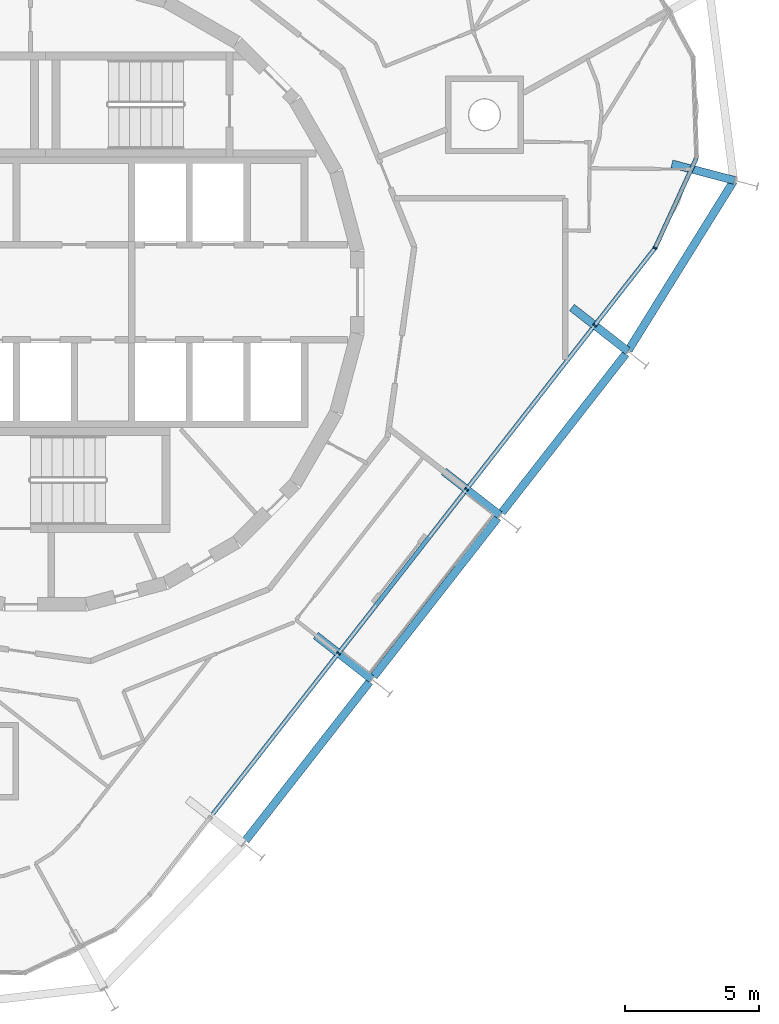
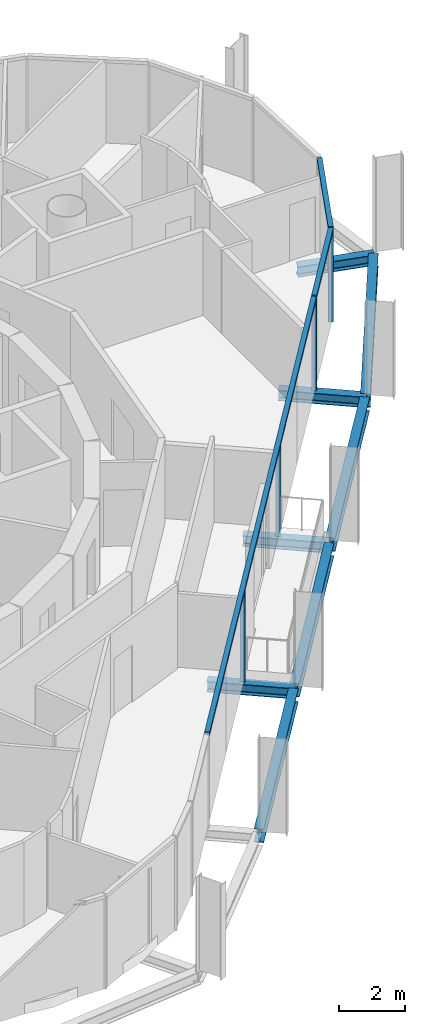
# One storey, part 4 of 15: 8 beams, 7 members, 2 elements without a shape of their own.
"""IFC4 building model written with IfcOpenShell, lengths in metres."""

from ifc_helpers import new_model, si_unit, direction, frame, origin, origin_2d, place, context, subcontext, project, spatial, rectangle, i_section, extrude, material, layer, layer_set, material_profile, profile_set, type_object, element, aggregate, save


model = new_model("IFC4")

# Units and contexts
model_context = context("Model", 3, precision=1e-05, world=origin(), true_north=direction((0.0, 1.0)))
body_context = subcontext(model_context, "Body", "Model", "MODEL_VIEW")
ifc_project = project(units=[si_unit("LENGTHUNIT", "METRE"), si_unit("AREAUNIT", "SQUARE_METRE"), si_unit("VOLUMEUNIT", "CUBIC_METRE"), si_unit("PLANEANGLEUNIT", "RADIAN"), si_unit("MASSUNIT", "GRAM", prefix="KILO")], contexts=[model_context])

# Site, building, storey
site_placement = place(None, origin())
site = spatial("IfcSite", under=ifc_project, at=site_placement, CompositionType="ELEMENT")
building_placement = place(site_placement, origin())
building = spatial("IfcBuilding", under=site, at=building_placement, Name="Spindle Arch Residences", CompositionType="ELEMENT")
storey_placement = place(building_placement, frame((0.0, 0.0, 350.5)))
storey = spatial("IfcBuildingStorey", under=building, at=storey_placement, Name="L90", CompositionType="ELEMENT", Elevation=350.5)

# Curtain wall, members
ifc_material_1 = material(Name="Aluminium bronze unitised frame with tinted glass", Category="aluminium")
ifc_layer_1 = layer(ifc_material_1, 0.159912109375)
ifc_layer_set_1 = layer_set([ifc_layer_1], Name="CW-D corner wall on the fillet arcs")
curtain_wall_type_1 = type_object("IfcCurtainWallType", Name="CW-D corner wall on the fillet arcs", PredefinedType="NOTDEFINED", material=ifc_layer_set_1)
curtain_wall_1_placement = place(storey_placement, origin())
curtain_wall_1 = element("IfcCurtainWall", 1, at=curtain_wall_1_placement, inside=storey, type_object=curtain_wall_type_1, Name="CW-D L90 run 1", PredefinedType="NOTDEFINED")
ifc_material_2 = material(Name="Aluminium bronze anodised mullion", Category="aluminium")
ifc_material_profile_1 = material_profile(ifc_material_2, rectangle(XDim=0.159912109375, YDim=0.06005859375, at=origin_2d()), Name="MU 60x160")
ifc_profile_set_1 = profile_set([ifc_material_profile_1], Name="Aluminium bronze anodised mullion")
member_type_1 = type_object("IfcMemberType", Name="Bronze mullion 60x160", PredefinedType="MULLION", material=ifc_profile_set_1)
member_1_placement = place(storey_placement, frame((20.50341796875, -1.237060546875, -0.3798828125), z_axis=(0.0, 0.0, 1.0), x_axis=(-0.788010753607, 0.615661475326, 0.0)))
member_1 = element("IfcMember", 2, at=member_1_placement, type_object=member_type_1, Name="CW-D mullion 00", PredefinedType="MULLION", context=body_context, shape_type="SweptSolid", body=[
    extrude(rectangle(XDim=0.159912109375, YDim=0.06005859375, at=origin_2d()), origin(), (0.0, 0.0, 1.0), 3.3798828125),
])
member_2_placement = place(storey_placement, frame((22.7568359375, 1.647216796875, -0.3798828125), z_axis=(0.0, 0.0, 1.0), x_axis=(-0.908751129947, 0.417338452362, 0.0)))
member_2 = element("IfcMember", 3, at=member_2_placement, type_object=member_type_1, Name="CW-D mullion 01", PredefinedType="MULLION", context=body_context, shape_type="SweptSolid", body=[
    extrude(rectangle(XDim=0.159912109375, YDim=0.06005859375, at=origin_2d()), origin(), (0.0, 0.0, 1.0), 3.3798828125),
])

ifc_material_3 = material(Name="Aluminium bronze unitised frame with tinted glass", Category="aluminium")
ifc_layer_2 = layer(ifc_material_3, 0.159912109375)
ifc_layer_set_2 = layer_set([ifc_layer_2], Name="CW-C typical residential unitised wall")
curtain_wall_type_2 = type_object("IfcCurtainWallType", Name="CW-C typical residential unitised wall", PredefinedType="NOTDEFINED", material=ifc_layer_set_2)
curtain_wall_2_placement = place(storey_placement, origin())
curtain_wall_2 = element("IfcCurtainWall", 4, at=curtain_wall_2_placement, inside=storey, type_object=curtain_wall_type_2, Name="CW-C L90 run 6", PredefinedType="NOTDEFINED")
member_3_placement = place(storey_placement, frame((10.94140625, -13.4755859375, -0.3798828125), z_axis=(0.0, 0.0, 1.0), x_axis=(-0.788010753607, 0.615661475326, 0.0)))
member_3 = element("IfcMember", 5, at=member_3_placement, type_object=member_type_1, Name="CW-C mullion 19", PredefinedType="MULLION", context=body_context, shape_type="SweptSolid", body=[
    extrude(rectangle(XDim=0.159912109375, YDim=0.06005859375, at=origin_2d()), origin(), (0.0, 0.0, 1.0), 3.3798828125),
])
member_4_placement = place(storey_placement, frame((15.722412109375, -7.3564453125, -0.3798828125), z_axis=(0.0, 0.0, 1.0), x_axis=(-0.788010753607, 0.615661475326, 0.0)))
member_4 = element("IfcMember", 6, at=member_4_placement, type_object=member_type_1, Name="CW-C mullion 00", PredefinedType="MULLION", context=body_context, shape_type="SweptSolid", body=[
    extrude(rectangle(XDim=0.159912109375, YDim=0.06005859375, at=origin_2d()), origin(), (0.0, 0.0, 1.0), 3.3798828125),
])

# Member
ifc_material_4 = material(Name="Aluminium bronze anodised transom", Category="aluminium")
ifc_material_profile_2 = material_profile(ifc_material_4, rectangle(XDim=0.159912109375, YDim=0.1201171875, at=origin_2d()), Name="TR 120x160")
ifc_profile_set_2 = profile_set([ifc_material_profile_2], Name="Aluminium bronze anodised transom")
member_type_2 = type_object("IfcMemberType", Name="Bronze transom 120x160", PredefinedType="USERDEFINED", material=ifc_profile_set_2)
member_5_placement = place(storey_placement, frame((20.521728515625, -1.21337890625, 3.06005859375), z_axis=(0.615647989673, 0.788021289568, 0.0), x_axis=(-0.788021289568, 0.615647989673, 0.0)))
member_5 = element("IfcMember", 7, at=member_5_placement, type_object=member_type_2, Name="CW-D transom 00", ObjectType="TRANSOM", PredefinedType="USERDEFINED", context=body_context, shape_type="SweptSolid", body=[
    extrude(rectangle(XDim=0.159912109375, YDim=0.1201171875, at=origin_2d()), origin(), (0.0, 0.0, 1.0), 3.600341796875),
])

member_6_placement = place(storey_placement, frame((22.769287109375, 1.674560546875, 3.06005859375), z_axis=(0.417326323855, 0.908756699792, 0.0), x_axis=(-0.908756699792, 0.417326323855, 0.0)))
member_6 = element("IfcMember", 8, at=member_6_placement, type_object=member_type_2, Name="CW-D transom 01", ObjectType="TRANSOM", PredefinedType="USERDEFINED", context=body_context, shape_type="SweptSolid", body=[
    extrude(rectangle(XDim=0.159912109375, YDim=0.1201171875, at=origin_2d()), origin(), (0.0, 0.0, 1.0), 3.666748046875),
])

aggregate(curtain_wall_1, [member_1, member_5, member_2, member_6])

member_7_placement = place(storey_placement, frame((6.178955078125, -19.571533203125, 3.06005859375), z_axis=(0.615655051857, 0.788015772128, 0.0), x_axis=(-0.788015772128, 0.615655051857, 0.0)))
member_7 = element("IfcMember", 9, at=member_7_placement, type_object=member_type_2, Name="CW-C transom 00", ObjectType="TRANSOM", PredefinedType="USERDEFINED", context=body_context, shape_type="SweptSolid", body=[
    extrude(rectangle(XDim=0.159912109375, YDim=0.1201171875, at=origin_2d()), origin(), (0.0, 0.0, 1.0), 23.23681640625),
])

aggregate(curtain_wall_2, [member_7, member_3, member_4])

# Beams
ifc_material_5 = material(Name="Steel S460ML, intumescent coating R 120", Category="steel")
ifc_material_profile_3 = material_profile(ifc_material_5, i_section(OverallWidth=0.300048828125, OverallDepth=0.5, WebThickness=0.014404296875, FlangeThickness=0.028076171875, FilletRadius=0.027099609375, at=origin_2d()), Name="HEB 500")
ifc_profile_set_3 = profile_set([ifc_material_profile_3], Name="Steel S460ML, intumescent coating R 120")
beam_type_1 = type_object("IfcBeamType", Name="Exoskeleton edge beam HEB 500", PredefinedType="BEAM", material=ifc_profile_set_3)
beam_1_placement = place(storey_placement, frame((17.03955078125, -8.220458984375, -0.6298828125), z_axis=(0.615652879069, 0.788017469663, 0.0), x_axis=(-0.788017469663, 0.615652879069, 0.0)))
element("IfcBeam", 10, at=beam_1_placement, inside=storey, type_object=beam_type_1, Name="Exoskeleton edge beam 1", PredefinedType="BEAM", context=body_context, shape_type="SweptSolid", body=[
    extrude(i_section(OverallWidth=0.300048828125, OverallDepth=0.5, WebThickness=0.014404296875, FlangeThickness=0.028076171875, FilletRadius=0.027099609375, at=origin_2d()), origin(), (0.0, 0.0, 1.0), 7.505615234375),
])
beam_2_placement = place(storey_placement, frame((21.760498046875, -2.17041015625, -0.6298828125), z_axis=(0.527890607505, 0.849312372751, 0.0), x_axis=(-0.849312372751, 0.527890607505, 0.0)))
element("IfcBeam", 11, at=beam_2_placement, inside=storey, type_object=beam_type_1, Name="Exoskeleton edge beam 2", PredefinedType="BEAM", context=body_context, shape_type="SweptSolid", body=[
    extrude(i_section(OverallWidth=0.300048828125, OverallDepth=0.5, WebThickness=0.014404296875, FlangeThickness=0.028076171875, FilletRadius=0.027099609375, at=origin_2d()), origin(), (0.0, 0.0, 1.0), 7.437744140625),
])
for number, where, z_axis, x_axis, name in (
    (12, (7.4775390625, -20.459228515625, -0.6298828125), (0.615673077274, 0.788001689034, 0.0), (-0.788001689034, 0.615673077274, 0.0), "Exoskeleton edge beam 19"),
    (13, (12.258544921875, -14.33984375, -0.6298828125), (0.615673077274, 0.788001689034, 0.0), (-0.788001689034, 0.615673077274, 0.0), "Exoskeleton edge beam 20"),
):
    element("IfcBeam", number, at=place(storey_placement, frame(where, z_axis=z_axis, x_axis=x_axis)), inside=storey, type_object=beam_type_1, Name=name, PredefinedType="BEAM", context=body_context, shape_type="SweptSolid", body=[
        extrude(i_section(OverallWidth=0.300048828125, OverallDepth=0.5, WebThickness=0.014404296875, FlangeThickness=0.028076171875, FilletRadius=0.027099609375, at=origin_2d()), origin(), (0.0, 0.0, 1.0), 7.505859375),
    ])
ifc_material_6 = material(Name="Steel S460ML, intumescent coating R 120", Category="steel")
ifc_material_profile_4 = material_profile(ifc_material_6, i_section(OverallWidth=0.300048828125, OverallDepth=0.389892578125, WebThickness=0.010986328125, FlangeThickness=0.01904296875, FilletRadius=0.027099609375, at=origin_2d()), Name="HEA 400")
ifc_profile_set_4 = profile_set([ifc_material_profile_4], Name="Steel S460ML, intumescent coating R 120")
beam_type_2 = type_object("IfcBeamType", Name="Floor outrigger HEA 400", PredefinedType="BEAM", material=ifc_profile_set_4)
beam_3_placement = place(storey_placement, frame((16.959716796875, -8.322998046875, -0.574951171875), z_axis=(-0.788015993799, 0.615654768127, 0.0), x_axis=(-0.615654768127, -0.788015993799, 0.0)))
element("IfcBeam", 14, at=beam_3_placement, inside=storey, type_object=beam_type_2, Name="Floor outrigger 1", PredefinedType="BEAM", context=body_context, shape_type="SweptSolid", body=[
    extrude(i_section(OverallWidth=0.300048828125, OverallDepth=0.389892578125, WebThickness=0.010986328125, FlangeThickness=0.01904296875, FilletRadius=0.027099609375, at=origin_2d()), origin(), (0.0, 0.0, 1.0), 2.650146484375),
])
beam_4_placement = place(storey_placement, frame((21.740478515625, -2.20361328125, -0.574951171875), z_axis=(-0.787981072726, 0.615699463233, 0.0), x_axis=(-0.615699463233, -0.787981072726, 0.0)))
element("IfcBeam", 15, at=beam_4_placement, inside=storey, type_object=beam_type_2, Name="Floor outrigger 2", PredefinedType="BEAM", context=body_context, shape_type="SweptSolid", body=[
    extrude(i_section(OverallWidth=0.300048828125, OverallDepth=0.389892578125, WebThickness=0.010986328125, FlangeThickness=0.01904296875, FilletRadius=0.027099609375, at=origin_2d()), origin(), (0.0, 0.0, 1.0), 2.64990234375),
])
beam_5_placement = place(storey_placement, frame((25.723388671875, 4.17138671875, -0.574951171875), z_axis=(-0.967207729223, 0.253986630616, 0.0), x_axis=(-0.253986630616, -0.967207729223, 0.0)))
element("IfcBeam", 16, at=beam_5_placement, inside=storey, type_object=beam_type_2, Name="Floor outrigger 3", PredefinedType="BEAM", context=body_context, shape_type="SweptSolid", body=[
    extrude(i_section(OverallWidth=0.300048828125, OverallDepth=0.389892578125, WebThickness=0.010986328125, FlangeThickness=0.01904296875, FilletRadius=0.027099609375, at=origin_2d()), origin(), (0.0, 0.0, 1.0), 2.41943359375),
])
beam_6_placement = place(storey_placement, frame((12.1787109375, -14.4423828125, -0.574951171875), z_axis=(-0.788015993799, 0.615654768127, 0.0), x_axis=(-0.615654768127, -0.788015993799, 0.0)))
element("IfcBeam", 17, at=beam_6_placement, inside=storey, type_object=beam_type_2, Name="Floor outrigger 20", PredefinedType="BEAM", context=body_context, shape_type="SweptSolid", body=[
    extrude(i_section(OverallWidth=0.300048828125, OverallDepth=0.389892578125, WebThickness=0.010986328125, FlangeThickness=0.01904296875, FilletRadius=0.027099609375, at=origin_2d()), origin(), (0.0, 0.0, 1.0), 2.650146484375),
])

save(model, "model.ifc")
